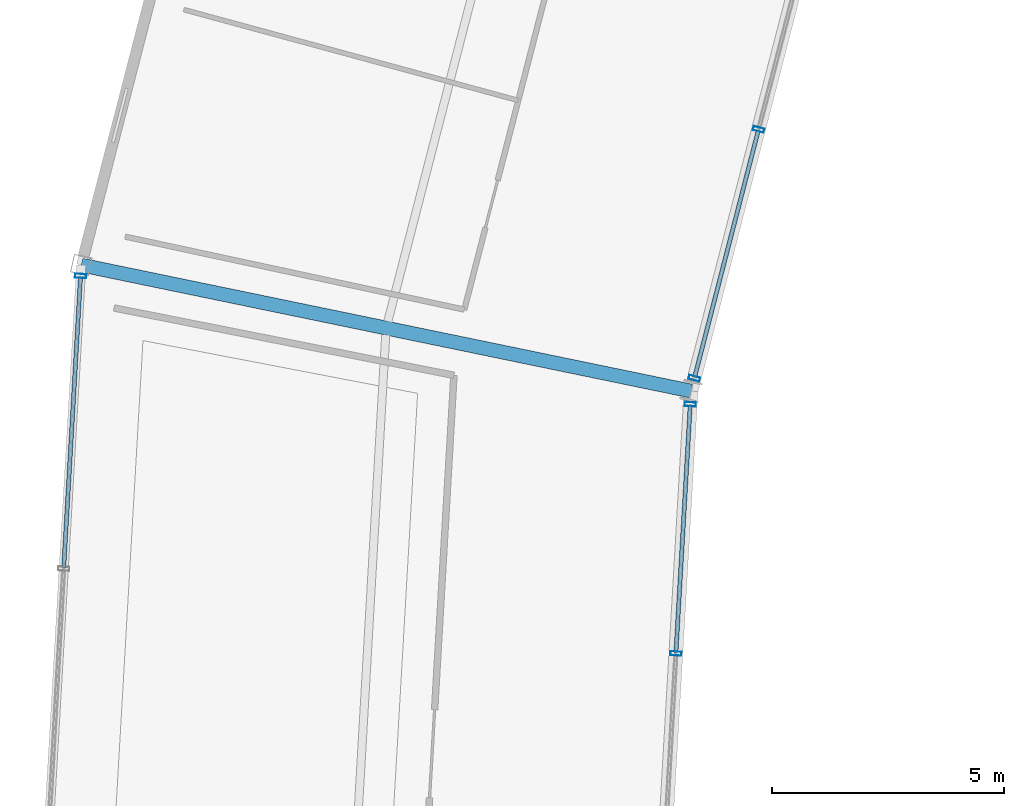
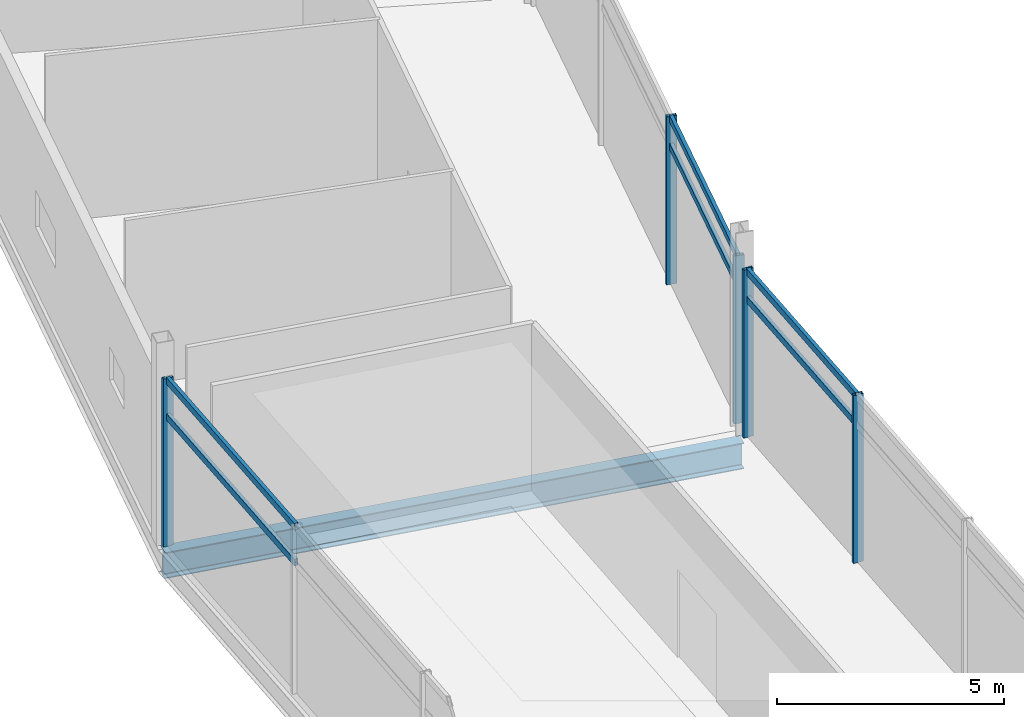
# One storey, part 42 of 86: 11 members, 1 beam, 3 elements without a shape of their own.
"""IFC4 building model written with IfcOpenShell, lengths in metres."""

from ifc_helpers import new_model, si_unit, direction, frame, origin, origin_2d, place, context, subcontext, project, spatial, hollow_rectangle, i_section, extrude, material, layer, layer_set, material_profile, profile_set, type_object, element, aggregate, save


model = new_model("IFC4")

# Units and contexts
model_context = context("Model", 3, precision=1e-05, world=origin(), true_north=direction((0.0, 1.0)))
body_context = subcontext(model_context, "Body", "Model", "MODEL_VIEW")
ifc_project = project(units=[si_unit("LENGTHUNIT", "METRE"), si_unit("AREAUNIT", "SQUARE_METRE"), si_unit("VOLUMEUNIT", "CUBIC_METRE"), si_unit("PLANEANGLEUNIT", "RADIAN"), si_unit("MASSUNIT", "GRAM", prefix="KILO")], contexts=[model_context])

# Site, building, storey
site_placement = place(None, origin())
site = spatial("IfcSite", under=ifc_project, at=site_placement, CompositionType="ELEMENT")
building_placement = place(site_placement, origin())
building = spatial("IfcBuilding", under=site, at=building_placement, Name="Kazemori Nagisa Stadium", CompositionType="ELEMENT")
storey_placement = place(building_placement, frame((0.0, 0.0, 31.280029296875)))
storey = spatial("IfcBuildingStorey", under=building, at=storey_placement, Name="L06", CompositionType="ELEMENT", Elevation=31.280029296875)

# Beam
ifc_material_1 = material(Name="Steel SN490B", Category="steel")
ifc_material_profile_1 = material_profile(ifc_material_1, i_section(OverallWidth=0.300048828125, OverallDepth=0.699951171875, WebThickness=0.012939453125, FlangeThickness=0.02392578125, FilletRadius=0.01806640625, at=origin_2d()), Name="H-700x300x13x24")
ifc_profile_set_1 = profile_set([ifc_material_profile_1], Name="Steel SN490B")
beam_type = type_object("IfcBeamType", Name="Beam_BG-H700", PredefinedType="BEAM", material=ifc_profile_set_1)
beam_placement = place(storey_placement, frame((42.262451171875, 118.68212890625, -0.610107421875), z_axis=(-0.979315516463, 0.202339119339, 0.0), x_axis=(-0.202339119339, -0.979315516463, 0.0)))
element("IfcBeam", 1, at=beam_placement, inside=storey, type_object=beam_type, Name="Radial girder BG-H700 L06 R2-R3-14", PredefinedType="BEAM", context=body_context, shape_type="SweptSolid", body=[
    extrude(i_section(OverallWidth=0.300048828125, OverallDepth=0.699951171875, WebThickness=0.012939453125, FlangeThickness=0.02392578125, FilletRadius=0.01806640625, at=origin_2d()), origin(), (0.0, 0.0, 1.0), 13.4208984375),
])

# Curtain wall, member
ifc_material_2 = material(Name="Anodised aluminium 6063-T5", Category="aluminium")
ifc_layer_1 = layer(ifc_material_2, 0.239990234375, Name="Anodised aluminium 6063-T5", Category="aluminium")
ifc_layer_set_1 = layer_set([ifc_layer_1], Name="Anodised aluminium 6063-T5")
curtain_wall_type_1 = type_object("IfcCurtainWallType", Name="CW_L06R3_95", PredefinedType="USERDEFINED", material=ifc_layer_set_1)
curtain_wall_1_placement = place(storey_placement, origin())
curtain_wall_1 = element("IfcCurtainWall", 2, at=curtain_wall_1_placement, inside=storey, type_object=curtain_wall_type_1, Name="Unitised curtain wall CW-L06R3-95 L06", ObjectType="UNITISED CURTAIN WALL", PredefinedType="USERDEFINED")
ifc_material_3 = material(Name="Aluminium 6063-T5 anodised", Category="aluminium")
ifc_material_profile_2 = material_profile(ifc_material_3, hollow_rectangle(XDim=0.090087890625, YDim=0.239990234375, WallThickness=0.0048828125, at=origin_2d()), Name="ALU-MULL-90x240x5")
ifc_profile_set_2 = profile_set([ifc_material_profile_2], Name="Aluminium 6063-T5 anodised")
member_type_1 = type_object("IfcMemberType", Name="Mullion_M03", PredefinedType="MULLION", material=ifc_profile_set_2)
member_1_placement = place(storey_placement, frame((29.105712890625, 121.1630859375, 0.0), z_axis=(0.0, 0.0, 1.0), x_axis=(-0.057601670941, -0.998339645364, 0.0)))
member_1 = element("IfcMember", 3, at=member_1_placement, type_object=member_type_1, Name="Curtain wall mullion CW-L06R3-95-M1", PredefinedType="MULLION", context=body_context, shape_type="SweptSolid", body=[
    extrude(hollow_rectangle(XDim=0.090087890625, YDim=0.239990234375, WallThickness=0.0048828125, at=origin_2d()), origin(), (0.0, 0.0, 1.0), 4.510009765625),
])

# Curtain wall, members
ifc_layer_2 = layer(ifc_material_2, 0.239990234375, Name="Anodised aluminium 6063-T5", Category="aluminium")
ifc_layer_set_2 = layer_set([ifc_layer_2], Name="Anodised aluminium 6063-T5")
curtain_wall_type_2 = type_object("IfcCurtainWallType", Name="CW_L06G_83", PredefinedType="USERDEFINED", material=ifc_layer_set_2)
curtain_wall_2_placement = place(storey_placement, origin())
curtain_wall_2 = element("IfcCurtainWall", 4, at=curtain_wall_2_placement, inside=storey, type_object=curtain_wall_type_2, Name="Unitised curtain wall CW-L06G-83 L06", ObjectType="UNITISED CURTAIN WALL", PredefinedType="USERDEFINED")
member_2_placement = place(storey_placement, frame((43.718505859375, 124.321533203125, 0.0), z_axis=(0.0, 0.0, 1.0), x_axis=(-0.249964642418, -0.968254965152, 0.0)))
member_2 = element("IfcMember", 5, at=member_2_placement, type_object=member_type_1, Name="Curtain wall mullion CW-L06G-83-M3", PredefinedType="MULLION", context=body_context, shape_type="SweptSolid", body=[
    extrude(hollow_rectangle(XDim=0.090087890625, YDim=0.239990234375, WallThickness=0.0048828125, at=origin_2d()), origin(), (0.0, 0.0, 1.0), 4.510009765625),
])
member_3_placement = place(storey_placement, frame((42.333740234375, 118.9580078125, 0.0), z_axis=(0.0, 0.0, 1.0), x_axis=(-0.249964642418, -0.968254965152, 0.0)))
member_3 = element("IfcMember", 6, at=member_3_placement, type_object=member_type_1, Name="Curtain wall mullion CW-L06G-83-M4", PredefinedType="MULLION", context=body_context, shape_type="SweptSolid", body=[
    extrude(hollow_rectangle(XDim=0.090087890625, YDim=0.239990234375, WallThickness=0.0048828125, at=origin_2d()), origin(), (0.0, 0.0, 1.0), 4.510009765625),
])

ifc_layer_3 = layer(ifc_material_2, 0.239990234375, Name="Anodised aluminium 6063-T5", Category="aluminium")
ifc_layer_set_3 = layer_set([ifc_layer_3], Name="Anodised aluminium 6063-T5")
curtain_wall_type_3 = type_object("IfcCurtainWallType", Name="CW_L06G_81", PredefinedType="USERDEFINED", material=ifc_layer_set_3)
curtain_wall_3_placement = place(storey_placement, origin())
curtain_wall_3 = element("IfcCurtainWall", 7, at=curtain_wall_3_placement, inside=storey, type_object=curtain_wall_type_3, Name="Unitised curtain wall CW-L06G-81 L06", ObjectType="UNITISED CURTAIN WALL", PredefinedType="USERDEFINED")
member_4_placement = place(storey_placement, frame((42.24609375, 118.3974609375, 0.0), z_axis=(0.0, 0.0, 1.0), x_axis=(-0.057601670941, -0.998339645364, 0.0)))
member_4 = element("IfcMember", 8, at=member_4_placement, type_object=member_type_1, Name="Curtain wall mullion CW-L06G-81-M1", PredefinedType="MULLION", context=body_context, shape_type="SweptSolid", body=[
    extrude(hollow_rectangle(XDim=0.090087890625, YDim=0.239990234375, WallThickness=0.0048828125, at=origin_2d()), origin(), (0.0, 0.0, 1.0), 4.510009765625),
])
member_5_placement = place(storey_placement, frame((41.936279296875, 113.026611328125, 0.0), z_axis=(0.0, 0.0, 1.0), x_axis=(-0.057601670941, -0.998339645364, 0.0)))
member_5 = element("IfcMember", 9, at=member_5_placement, type_object=member_type_1, Name="Curtain wall mullion CW-L06G-81-M2", PredefinedType="MULLION", context=body_context, shape_type="SweptSolid", body=[
    extrude(hollow_rectangle(XDim=0.090087890625, YDim=0.239990234375, WallThickness=0.0048828125, at=origin_2d()), origin(), (0.0, 0.0, 1.0), 4.510009765625),
])

# Member
ifc_material_profile_3 = material_profile(ifc_material_3, hollow_rectangle(XDim=0.090087890625, YDim=0.179931640625, WallThickness=0.0048828125, at=origin_2d()), Name="ALU-TRAN-90x180x5")
ifc_profile_set_3 = profile_set([ifc_material_profile_3], Name="Aluminium 6063-T5 anodised")
member_type_2 = type_object("IfcMemberType", Name="Transom_T03", PredefinedType="USERDEFINED", material=ifc_profile_set_3)
member_6_placement = place(storey_placement, frame((29.1044921875, 121.14306640625, 3.47265625), z_axis=(-0.057614418392, -0.998338909786, 0.0), x_axis=(0.998338909786, -0.057614418392, 0.0)))
member_6 = element("IfcMember", 10, at=member_6_placement, type_object=member_type_2, Name="Curtain wall transom CW-L06R3-95-T1-mid", ObjectType="TRANSOM", PredefinedType="USERDEFINED", context=body_context, shape_type="SweptSolid", body=[
    extrude(hollow_rectangle(XDim=0.090087890625, YDim=0.179931640625, WallThickness=0.0048828125, at=origin_2d()), origin(), (0.0, 0.0, 1.0), 6.280029296875),
])

member_7_placement = place(storey_placement, frame((29.1044921875, 121.14306640625, 4.43994140625), z_axis=(-0.057614418392, -0.998338909786, 0.0), x_axis=(0.998338909786, -0.057614418392, 0.0)))
member_7 = element("IfcMember", 11, at=member_7_placement, type_object=member_type_2, Name="Curtain wall transom CW-L06R3-95-T1-head", ObjectType="TRANSOM", PredefinedType="USERDEFINED", context=body_context, shape_type="SweptSolid", body=[
    extrude(hollow_rectangle(XDim=0.090087890625, YDim=0.179931640625, WallThickness=0.0048828125, at=origin_2d()), origin(), (0.0, 0.0, 1.0), 6.280029296875),
])

aggregate(curtain_wall_1, [member_1, member_6, member_7])

member_8_placement = place(storey_placement, frame((43.71337890625, 124.30224609375, 3.6982421875), z_axis=(-0.249934408946, -0.968262769719, 0.0), x_axis=(0.968262769719, -0.249934408946, 0.0)))
member_8 = element("IfcMember", 12, at=member_8_placement, type_object=member_type_2, Name="Curtain wall transom CW-L06G-83-T3-mid", ObjectType="TRANSOM", PredefinedType="USERDEFINED", context=body_context, shape_type="SweptSolid", body=[
    extrude(hollow_rectangle(XDim=0.090087890625, YDim=0.179931640625, WallThickness=0.0048828125, at=origin_2d()), origin(), (0.0, 0.0, 1.0), 5.49951171875),
])

member_9_placement = place(storey_placement, frame((43.71337890625, 124.30224609375, 4.43994140625), z_axis=(-0.249934408946, -0.968262769719, 0.0), x_axis=(0.968262769719, -0.249934408946, 0.0)))
member_9 = element("IfcMember", 13, at=member_9_placement, type_object=member_type_2, Name="Curtain wall transom CW-L06G-83-T3-head", ObjectType="TRANSOM", PredefinedType="USERDEFINED", context=body_context, shape_type="SweptSolid", body=[
    extrude(hollow_rectangle(XDim=0.090087890625, YDim=0.179931640625, WallThickness=0.0048828125, at=origin_2d()), origin(), (0.0, 0.0, 1.0), 5.49951171875),
])

aggregate(curtain_wall_2, [member_2, member_3, member_8, member_9])

member_10_placement = place(storey_placement, frame((42.244873046875, 118.37744140625, 3.6982421875), z_axis=(-0.057607050835, -0.998339334943, 0.0), x_axis=(0.998339334943, -0.057607050835, 0.0)))
member_10 = element("IfcMember", 14, at=member_10_placement, type_object=member_type_2, Name="Curtain wall transom CW-L06G-81-T1-mid", ObjectType="TRANSOM", PredefinedType="USERDEFINED", context=body_context, shape_type="SweptSolid", body=[
    extrude(hollow_rectangle(XDim=0.090087890625, YDim=0.179931640625, WallThickness=0.0048828125, at=origin_2d()), origin(), (0.0, 0.0, 1.0), 5.33984375),
])

member_11_placement = place(storey_placement, frame((42.244873046875, 118.37744140625, 4.43994140625), z_axis=(-0.057607050835, -0.998339334943, 0.0), x_axis=(0.998339334943, -0.057607050835, 0.0)))
member_11 = element("IfcMember", 15, at=member_11_placement, type_object=member_type_2, Name="Curtain wall transom CW-L06G-81-T1-head", ObjectType="TRANSOM", PredefinedType="USERDEFINED", context=body_context, shape_type="SweptSolid", body=[
    extrude(hollow_rectangle(XDim=0.090087890625, YDim=0.179931640625, WallThickness=0.0048828125, at=origin_2d()), origin(), (0.0, 0.0, 1.0), 5.33984375),
])

aggregate(curtain_wall_3, [member_4, member_5, member_10, member_11])

save(model, "model.ifc")
